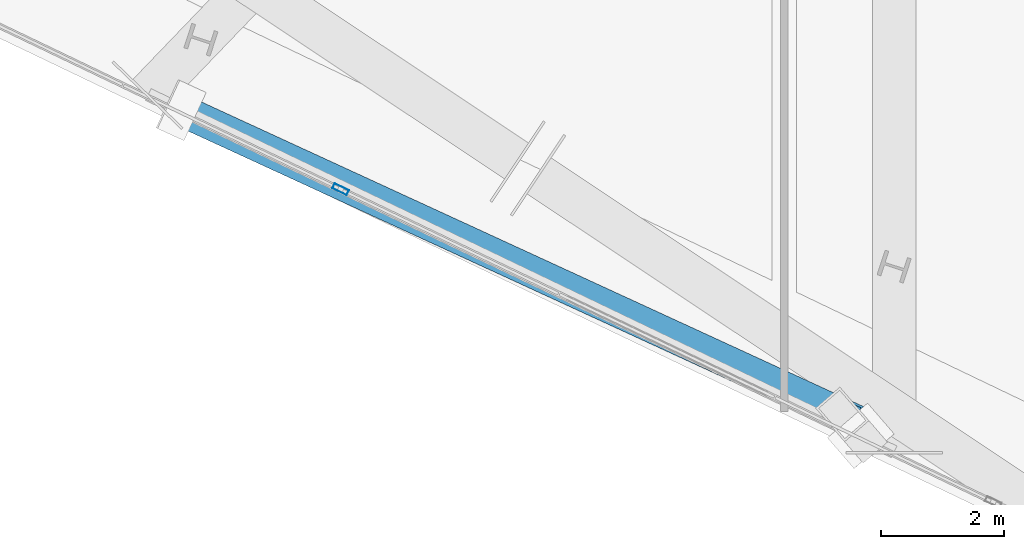
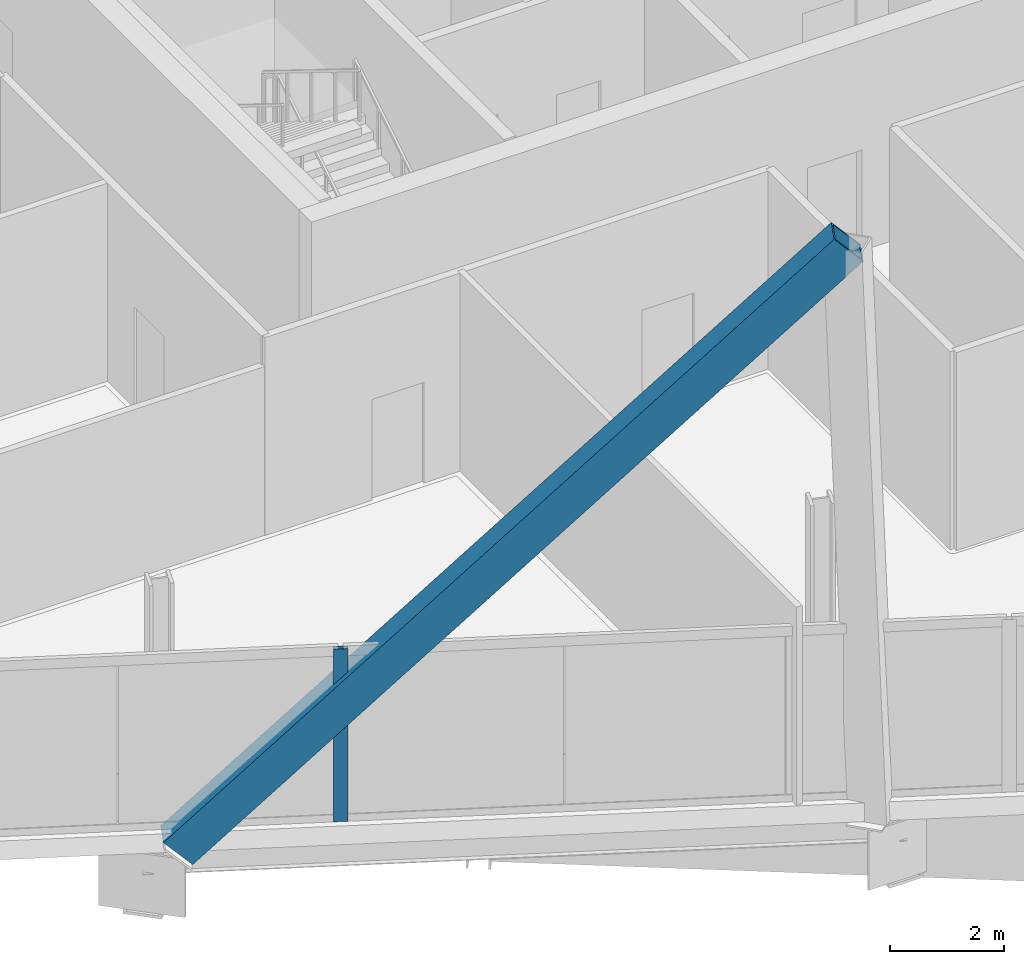
# One storey, part 2 of 24: 2 members, 1 element without a shape of its own.
"""IFC4 building model written with IfcOpenShell, lengths in metres."""

from ifc_helpers import new_model, si_unit, direction, frame, origin, origin_2d, place, context, subcontext, project, spatial, hollow_rectangle, extrude, material, material_profile, profile_set, type_object, element, aggregate, save


model = new_model("IFC4")

# Units and contexts
model_context = context("Model", 3, precision=1e-05, world=origin(), true_north=direction((0.0, 1.0)))
body_context = subcontext(model_context, "Body", "Model", "MODEL_VIEW")
ifc_project = project(units=[si_unit("LENGTHUNIT", "METRE"), si_unit("AREAUNIT", "SQUARE_METRE"), si_unit("VOLUMEUNIT", "CUBIC_METRE"), si_unit("PLANEANGLEUNIT", "RADIAN"), si_unit("MASSUNIT", "GRAM", prefix="KILO")], contexts=[model_context])

# Site, building, storey
site_placement = place(None, origin())
site = spatial("IfcSite", under=ifc_project, at=site_placement, CompositionType="ELEMENT")
building_placement = place(site_placement, origin())
building = spatial("IfcBuilding", under=site, at=building_placement, Name="Haldenkirk Collegiate Tower", CompositionType="ELEMENT")
storey_placement = place(building_placement, frame((0.0, 0.0, 244.199951171875)))
storey = spatial("IfcBuildingStorey", under=building, at=storey_placement, Name="L61", CompositionType="ELEMENT", Elevation=244.199951171875)

# Curtain wall, member
ifc_material_1 = material(Name="Anodised architectural bronze aluminium", Category="aluminium")
curtain_wall_type = type_object("IfcCurtainWallType", Name="CW-SYS4-SKYGARDEN", PredefinedType="USERDEFINED", material=ifc_material_1)
curtain_wall_placement = place(storey_placement, origin())
curtain_wall = element("IfcCurtainWall", 1, at=curtain_wall_placement, inside=storey, type_object=curtain_wall_type, Name="L61 Sky-garden tall bronze curtain wall", ObjectType="UNITISED CURTAIN WALL", PredefinedType="USERDEFINED")
ifc_material_profile_1 = material_profile(ifc_material_1, hollow_rectangle(XDim=0.090087890625, YDim=0.260009765625, WallThickness=0.0048828125, at=origin_2d()), Name="CW-MUL-04")
ifc_profile_set_1 = profile_set([ifc_material_profile_1], Name="Anodised architectural bronze aluminium")
member_type_1 = type_object("IfcMemberType", Name="CW-MUL-04", PredefinedType="MULLION", material=ifc_profile_set_1)
member_1_placement = place(storey_placement, frame((21.3076171875, 7.291748046875, 0.0), z_axis=(0.0, 0.0, 1.0), x_axis=(-0.432081961673, -0.901834340884, 0.0)))
member_1 = element("IfcMember", 2, at=member_1_placement, type_object=member_type_1, Name="CW-04 mullion 3", PredefinedType="MULLION", context=body_context, shape_type="SweptSolid", body=[
    extrude(hollow_rectangle(XDim=0.090087890625, YDim=0.260009765625, WallThickness=0.0048828125, at=origin_2d()), origin(), (0.0, 0.0, 1.0), 3.68798828125),
])
aggregate(curtain_wall, [member_1])

# Member
ifc_material_2 = material(Name="Steel ASTM A572 Grade 50", Category="steel")
ifc_material_profile_2 = material_profile(ifc_material_2, hollow_rectangle(XDim=0.52001953125, YDim=0.719970703125, WallThickness=0.035888671875, at=origin_2d()), Name="BOX720X520X36")
ifc_profile_set_2 = profile_set([ifc_material_profile_2], Name="Steel ASTM A572 Grade 50")
member_type_2 = type_object("IfcMemberType", Name="MBR-MEGABRACE-BOX720X520X36", PredefinedType="BRACE", material=ifc_profile_set_2)
member_2_placement = place(storey_placement, frame((18.73193359375, 8.5703125, -0.409912109375), z_axis=(0.633145942613, -0.29131410568, 0.717120845593), x_axis=(0.417984917673, 0.908453966141, 0.0)))
element("IfcMember", 3, at=member_2_placement, inside=storey, type_object=member_type_2, Name="Perimeter Mega Brace Z5 L61-L63 WL", PredefinedType="BRACE", context=body_context, shape_type="SweptSolid", body=[
    extrude(hollow_rectangle(XDim=0.52001953125, YDim=0.719970703125, WallThickness=0.035888671875, at=origin_2d()), origin(), (0.0, 0.0, 1.0), 16.914794921875),
])

save(model, "model.ifc")
